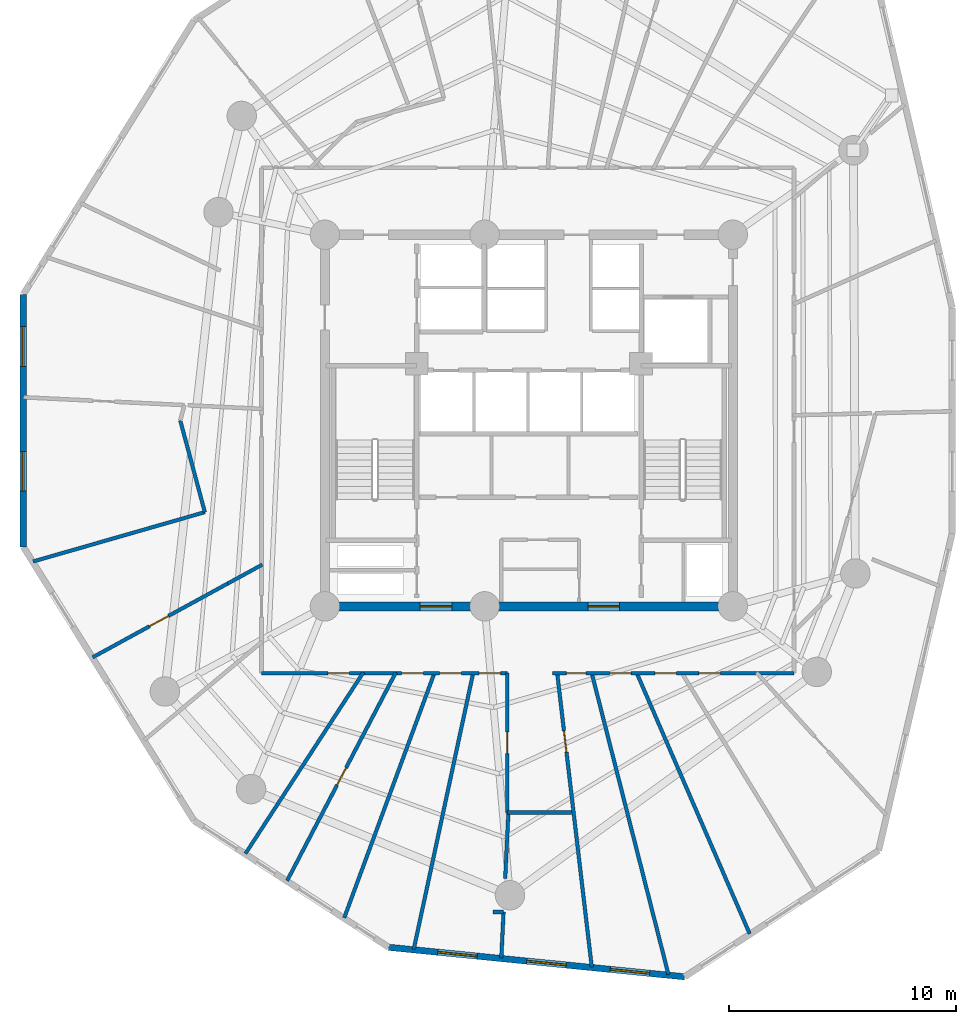
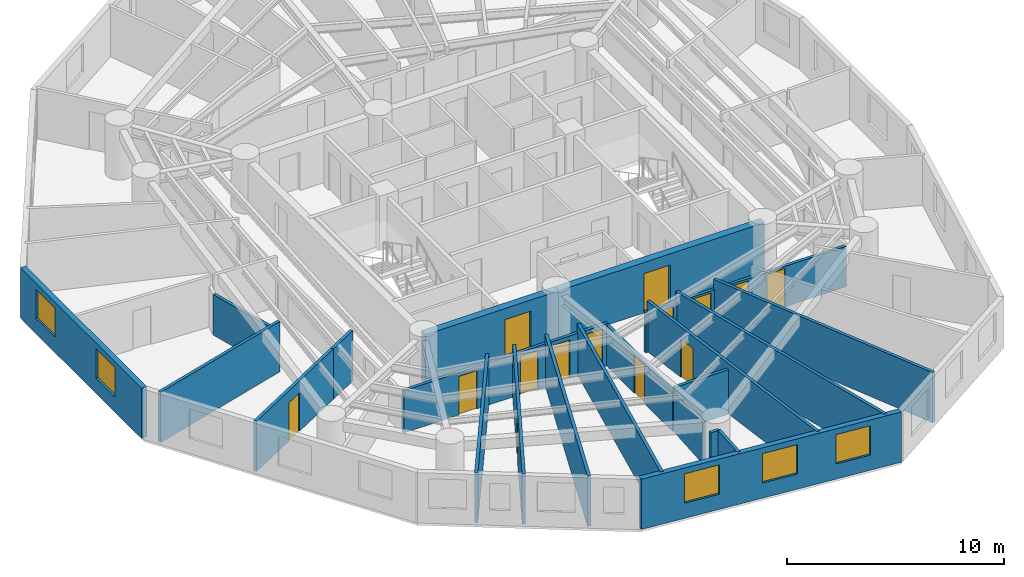
# One storey, part 3 of 8: 22 walls, 14 doors, 5 windows, 19 openings.
"""IFC4 building model written with IfcOpenShell, lengths in metres."""

from ifc_helpers import new_model, si_unit, direction, frame, frame_2d, origin, origin_with_axes, place, context, subcontext, project, spatial, rectangle, extrude, source, transform, mapped, material, layer, layer_set, type_object, element, fill, save


model = new_model("IFC4")

# Units and contexts
model_context = context("Model", 3, precision=1e-05, world=origin(), true_north=direction((0.0, 1.0)))
body_context = subcontext(model_context, "Body", "Model", "MODEL_VIEW")
ifc_project = project(units=[si_unit("LENGTHUNIT", "METRE"), si_unit("AREAUNIT", "SQUARE_METRE"), si_unit("VOLUMEUNIT", "CUBIC_METRE"), si_unit("PLANEANGLEUNIT", "RADIAN"), si_unit("MASSUNIT", "GRAM", prefix="KILO")], contexts=[model_context])

# Site, building, storey
site_placement = place(None, origin())
site = spatial("IfcSite", under=ifc_project, at=site_placement, CompositionType="ELEMENT")
building_placement = place(site_placement, origin())
building = spatial("IfcBuilding", under=site, at=building_placement, Name="Karkom Vertical University and Central Library", CompositionType="ELEMENT")
storey_placement = place(building_placement, frame((0.0, 0.0, 187.050048828125)))
storey = spatial("IfcBuildingStorey", under=building, at=storey_placement, Name="L54", CompositionType="ELEMENT", Elevation=187.050048828125)

# Wall, openings, windows
ifc_material_1 = material(Name="Brick-faced precast concrete C45/55", Category="masonry")
ifc_layer_1 = layer(ifc_material_1, 0.280029296875)
ifc_layer_set_1 = layer_set([ifc_layer_1], Name="Brick-faced precast concrete C45/55")
wall_type_1 = type_object("IfcWallType", Name="ENV-WL-BRK-280", PredefinedType="SOLIDWALL", material=ifc_layer_set_1)
wall_1_placement = place(storey_placement, frame((6.18408203125, 32.0712890625, 0.0), z_axis=(0.0, 0.0, 1.0), x_axis=(0.0, -1.0, 0.0)))
wall_1 = element("IfcWall", 1, at=wall_1_placement, inside=storey, type_object=wall_type_1, Name="Level 54 Brick-Faced Precast Facade Wall 01", PredefinedType="SOLIDWALL", context=body_context, shape_type="SweptSolid", body=[
    extrude(rectangle(XDim=11.142578125, YDim=0.280029296875, at=frame_2d((5.5712890625, 0.0))), origin(), (0.0, 0.0, 1.0), 2.824951171875),
])
opening_1_placement = place(wall_1_placement, frame((1.428955078125, 0.0, 0.85009765625)))
opening_1 = element("IfcOpeningElement", 2, at=opening_1_placement, cuts=wall_1, Name="Opening WN-08", PredefinedType="OPENING", context=body_context, shape_type="SweptSolid", body=[
    extrude(rectangle(XDim=1.75, YDim=1.64990234375, at=frame_2d((0.875, 0.824951171875))), frame((0.0, 0.14990234375, 0.0), z_axis=(0.0, -1.0, 0.0), x_axis=(1.0, 0.0, 0.0)), (0.0, 0.0, 1.0), 0.300048828125),
])
opening_2_placement = place(wall_1_placement, frame((6.9404296875, 0.0, 0.85009765625)))
opening_2 = element("IfcOpeningElement", 3, at=opening_2_placement, cuts=wall_1, Name="Opening WN-08", PredefinedType="OPENING", context=body_context, shape_type="SweptSolid", body=[
    extrude(rectangle(XDim=1.75, YDim=1.64990234375, at=frame_2d((0.875, 0.824951171875))), frame((0.0, 0.14990234375, 0.0), z_axis=(0.0, -1.0, 0.0), x_axis=(1.0, 0.0, 0.0)), (0.0, 0.0, 1.0), 0.300048828125),
])
ifc_material_2 = material(Name="Aluminium thermal-break frame with solar-control IGU", Category="aluminium")
window_type = type_object("IfcWindowType", Name="ENV-WIN-WN-08", PartitioningType="SINGLE_PANEL", PredefinedType="WINDOW", material=ifc_material_2)
shared_shape_1 = source(origin_with_axes(), body_context, "Body", "SweptSolid", [
    extrude(rectangle(XDim=1.75, YDim=1.64990234375, at=frame_2d((0.875, 0.824951171875))), frame((0.0, 0.030029296875, 0.0), z_axis=(0.0, -1.0, 0.0), x_axis=(1.0, 0.0, 0.0)), (0.0, 0.0, 1.0), 0.06005859375),
])
window_1_placement = place(opening_1_placement, origin())
window_1 = element("IfcWindow", 4, at=window_1_placement, inside=storey, type_object=window_type, Name="Level 54 Punched Window 1.1", OverallHeight=1.64990234375, OverallWidth=1.75, PartitioningType="SINGLE_PANEL", PredefinedType="WINDOW", context=body_context, shape_type="MappedRepresentation", body=[
    mapped(shared_shape_1, transform((0.0, 0.0, 0.0), scale=1.0)),
])
fill(opening_1, window_1)
window_2_placement = place(opening_2_placement, origin())
window_2 = element("IfcWindow", 5, at=window_2_placement, inside=storey, type_object=window_type, Name="Level 54 Punched Window 1.2", OverallHeight=1.64990234375, OverallWidth=1.75, PartitioningType="SINGLE_PANEL", PredefinedType="WINDOW", context=body_context, shape_type="MappedRepresentation", body=[
    mapped(shared_shape_1, transform((0.0, 0.0, 0.0), scale=1.0)),
])
fill(opening_2, window_2)

wall_2_placement = place(storey_placement, frame((22.306884765625, 3.25341796875, 0.0), z_axis=(0.0, 0.0, 1.0), x_axis=(0.995061275338, -0.099262572617, 0.0)))
wall_2 = element("IfcWall", 6, at=wall_2_placement, inside=storey, type_object=wall_type_1, Name="Level 54 Brick-Faced Precast Facade Wall 04", PredefinedType="SOLIDWALL", context=body_context, shape_type="SweptSolid", body=[
    extrude(rectangle(XDim=13.131591796875, YDim=0.280029296875, at=frame_2d((6.56591796875, 0.0))), origin(), (0.0, 0.0, 1.0), 2.824951171875),
])
opening_3_placement = place(wall_2_placement, frame((2.184326171875, 0.0, 0.85009765625)))
opening_3 = element("IfcOpeningElement", 7, at=opening_3_placement, cuts=wall_2, Name="Opening WN-08", PredefinedType="OPENING", context=body_context, shape_type="SweptSolid", body=[
    extrude(rectangle(XDim=1.75, YDim=1.64990234375, at=frame_2d((0.875, 0.824951171875))), frame((0.0, 0.14990234375, 0.0), z_axis=(0.0, -1.0, 0.0), x_axis=(1.0, 0.0, 0.0)), (0.0, 0.0, 1.0), 0.300048828125),
])
opening_4_placement = place(wall_2_placement, frame((6.12548828125, 0.0, 0.85009765625)))
opening_4 = element("IfcOpeningElement", 8, at=opening_4_placement, cuts=wall_2, Name="Opening WN-08", PredefinedType="OPENING", context=body_context, shape_type="SweptSolid", body=[
    extrude(rectangle(XDim=1.75, YDim=1.64990234375, at=frame_2d((0.875, 0.824951171875))), frame((0.0, 0.14990234375, 0.0), z_axis=(0.0, -1.0, 0.0), x_axis=(1.0, 0.0, 0.0)), (0.0, 0.0, 1.0), 0.300048828125),
])
opening_5_placement = place(wall_2_placement, frame((9.82666015625, 0.0, 0.85009765625)))
opening_5 = element("IfcOpeningElement", 9, at=opening_5_placement, cuts=wall_2, Name="Opening WN-08", PredefinedType="OPENING", context=body_context, shape_type="SweptSolid", body=[
    extrude(rectangle(XDim=1.75, YDim=1.64990234375, at=frame_2d((0.875, 0.824951171875))), frame((0.0, 0.14990234375, 0.0), z_axis=(0.0, -1.0, 0.0), x_axis=(1.0, 0.0, 0.0)), (0.0, 0.0, 1.0), 0.300048828125),
])
window_3_placement = place(opening_3_placement, origin())
window_3 = element("IfcWindow", 10, at=window_3_placement, inside=storey, type_object=window_type, Name="Level 54 Punched Window 4.1", OverallHeight=1.64990234375, OverallWidth=1.75, PartitioningType="SINGLE_PANEL", PredefinedType="WINDOW", context=body_context, shape_type="MappedRepresentation", body=[
    mapped(shared_shape_1, transform((0.0, 0.0, 0.0), scale=1.0)),
])
fill(opening_3, window_3)
window_4_placement = place(opening_4_placement, origin())
window_4 = element("IfcWindow", 11, at=window_4_placement, inside=storey, type_object=window_type, Name="Level 54 Punched Window 4.2", OverallHeight=1.64990234375, OverallWidth=1.75, PartitioningType="SINGLE_PANEL", PredefinedType="WINDOW", context=body_context, shape_type="MappedRepresentation", body=[
    mapped(shared_shape_1, transform((0.0, 0.0, 0.0), scale=1.0)),
])
fill(opening_4, window_4)
window_5_placement = place(opening_5_placement, origin())
window_5 = element("IfcWindow", 12, at=window_5_placement, inside=storey, type_object=window_type, Name="Level 54 Punched Window 4.3", OverallHeight=1.64990234375, OverallWidth=1.75, PartitioningType="SINGLE_PANEL", PredefinedType="WINDOW", context=body_context, shape_type="MappedRepresentation", body=[
    mapped(shared_shape_1, transform((0.0, 0.0, 0.0), scale=1.0)),
])
fill(opening_5, window_5)

# Wall
ifc_material_3 = material(Name="Insulated metal-stud drywall 160mm", Category="gypsum")
ifc_layer_2 = layer(ifc_material_3, 0.159912109375)
ifc_layer_set_2 = layer_set([ifc_layer_2], Name="Insulated metal-stud drywall 160mm")
wall_type_2 = type_object("IfcWallType", Name="INT-WL-COR-160", PredefinedType="PARTITIONING", material=ifc_layer_set_2)
wall_3_placement = place(storey_placement, frame((31.268310546875, 15.379150390625, 0.0), z_axis=(0.0, 0.0, 1.0), x_axis=(0.2466474547, -0.969105274513, 0.0)))
element("IfcWall", 13, at=wall_3_placement, inside=storey, type_object=wall_type_2, Name="Level 54 Interior Partition Wall L54-PW-017", PredefinedType="PARTITIONING", context=body_context, shape_type="SweptSolid", body=[
    extrude(rectangle(XDim=13.753662109375, YDim=0.159912109375, at=frame_2d((6.876953125, 0.0))), origin(), (0.0, 0.0, 1.0), 2.824951171875),
])

# Wall, opening, door
wall_4_placement = place(storey_placement, frame((29.747314453125, 15.3798828125, 0.0), z_axis=(0.0, 0.0, 1.0), x_axis=(0.11680660379, -0.993154679449, 0.0)))
wall_4 = element("IfcWall", 14, at=wall_4_placement, inside=storey, type_object=wall_type_2, Name="Level 54 Interior Partition Wall L54-PW-016", PredefinedType="PARTITIONING", context=body_context, shape_type="SweptSolid", body=[
    extrude(rectangle(XDim=13.084228515625, YDim=0.159912109375, at=frame_2d((6.5419921875, 0.0))), origin(), (0.0, 0.0, 1.0), 2.824951171875),
])
opening_6_placement = place(wall_4_placement, frame((2.58544921875, 0.0, 0.0)))
opening_6 = element("IfcOpeningElement", 15, at=opening_6_placement, cuts=wall_4, Name="Opening D-RM1", PredefinedType="OPENING", context=body_context, shape_type="SweptSolid", body=[
    extrude(rectangle(XDim=0.949951171875, YDim=2.14990234375, at=frame_2d((0.47509765625, 1.074951171875))), frame((0.0, 0.08984375, 0.0), z_axis=(0.0, -1.0, 0.0), x_axis=(1.0, 0.0, 0.0)), (0.0, 0.0, 1.0), 0.179931640625),
])
ifc_material_4 = material(Name="Solid-core oak veneer door", Category="wood")
door_type_1 = type_object("IfcDoorType", Name="INT-DR-RM1", OperationType="NOTDEFINED", PredefinedType="DOOR", material=ifc_material_4)
shared_shape_2 = source(origin_with_axes(), body_context, "Body", "SweptSolid", [
    extrude(rectangle(XDim=0.949951171875, YDim=2.14990234375, at=frame_2d((0.47509765625, 1.074951171875))), frame((0.0, 0.02490234375, 0.0), z_axis=(0.0, -1.0, 0.0), x_axis=(1.0, 0.0, 0.0)), (0.0, 0.0, 1.0), 0.050048828125),
])
door_1_placement = place(opening_6_placement, origin())
door_1 = element("IfcDoor", 16, at=door_1_placement, inside=storey, type_object=door_type_1, Name="Level 54 Room Entry Door 090", OperationType="SINGLE_SWING_RIGHT", OverallHeight=2.14990234375, OverallWidth=0.949951171875, PredefinedType="DOOR", context=body_context, shape_type="MappedRepresentation", body=[
    mapped(shared_shape_2, transform((0.0, 0.0, 0.0), scale=1.0)),
])
fill(opening_6, door_1)

# Walls
wall_5_placement = place(storey_placement, frame((33.252197265625, 15.37744140625, 0.0), z_axis=(0.0, 0.0, 1.0), x_axis=(0.397438924914, -0.917628629111, 0.0)))
element("IfcWall", 17, at=wall_5_placement, inside=storey, type_object=wall_type_2, Name="Level 54 Interior Partition Wall L54-PW-018", PredefinedType="PARTITIONING", context=body_context, shape_type="SweptSolid", body=[
    extrude(rectangle(XDim=12.56396484375, YDim=0.159912109375, at=frame_2d((6.281982421875, 0.0))), origin(), (0.0, 0.0, 1.0), 2.824951171875),
])
wall_6_placement = place(storey_placement, frame((26.046875, 15.37939453125, 0.0), z_axis=(0.0, 0.0, 1.0), x_axis=(-0.21026984846, -0.977643386327, 0.0)))
element("IfcWall", 18, at=wall_6_placement, inside=storey, type_object=wall_type_2, Name="Level 54 Interior Partition Wall L54-PW-012", PredefinedType="PARTITIONING", context=body_context, shape_type="SweptSolid", body=[
    extrude(rectangle(XDim=12.490966796875, YDim=0.159912109375, at=frame_2d((6.24560546875, 0.0))), origin(), (0.0, 0.0, 1.0), 2.824951171875),
])
wall_7_placement = place(storey_placement, frame((24.339599609375, 15.378173828125, 0.0), z_axis=(0.0, 0.0, 1.0), x_axis=(-0.345603339297, -0.938380696661, 0.0)))
element("IfcWall", 19, at=wall_7_placement, inside=storey, type_object=wall_type_2, Name="Level 54 Interior Partition Wall L54-PW-011", PredefinedType="PARTITIONING", context=body_context, shape_type="SweptSolid", body=[
    extrude(rectangle(XDim=11.53369140625, YDim=0.159912109375, at=frame_2d((5.766845703125, 0.0))), origin(), (0.0, 0.0, 1.0), 2.824951171875),
])

# Wall, openings, doors
wall_8_placement = place(storey_placement, frame((27.550048828125, 15.35009765625, 0.0), z_axis=(0.0, 0.0, 1.0), x_axis=(-1.0, 0.0, 0.0)))
wall_8 = element("IfcWall", 20, at=wall_8_placement, inside=storey, type_object=wall_type_2, Name="Level 54 Interior Partition Wall L54-CORW-CW-001", PredefinedType="PARTITIONING", context=body_context, shape_type="SweptSolid", body=[
    extrude(rectangle(XDim=10.85009765625, YDim=0.159912109375, at=frame_2d((5.425048828125, 0.0))), origin(), (0.0, 0.0, 1.0), 2.375),
])
opening_7_placement = place(wall_8_placement, frame((6.967529296875, 0.0, 0.0)))
opening_7 = element("IfcOpeningElement", 21, at=opening_7_placement, cuts=wall_8, Name="Opening D-RM1", PredefinedType="OPENING", context=body_context, shape_type="SweptSolid", body=[
    extrude(rectangle(XDim=0.949951171875, YDim=2.14990234375, at=frame_2d((0.47509765625, 1.074951171875))), frame((0.0, 0.08984375, 0.0), z_axis=(0.0, -1.0, 0.0), x_axis=(1.0, 0.0, 0.0)), (0.0, 0.0, 1.0), 0.179931640625),
])
opening_8_placement = place(wall_8_placement, frame((3.7099609375, 0.0, 0.0)))
opening_8 = element("IfcOpeningElement", 22, at=opening_8_placement, cuts=wall_8, Name="Opening D-RM1", PredefinedType="OPENING", context=body_context, shape_type="SweptSolid", body=[
    extrude(rectangle(XDim=0.949951171875, YDim=2.14990234375, at=frame_2d((0.47509765625, 1.074951171875))), frame((0.0, 0.08984375, 0.0), z_axis=(0.0, -1.0, 0.0), x_axis=(1.0, 0.0, 0.0)), (0.0, 0.0, 1.0), 0.179931640625),
])
opening_9_placement = place(wall_8_placement, frame((2.032470703125, 0.0, 0.0)))
opening_9 = element("IfcOpeningElement", 23, at=opening_9_placement, cuts=wall_8, Name="Opening D-RM1", PredefinedType="OPENING", context=body_context, shape_type="SweptSolid", body=[
    extrude(rectangle(XDim=0.949951171875, YDim=2.14990234375, at=frame_2d((0.47509765625, 1.074951171875))), frame((0.0, 0.08984375, 0.0), z_axis=(0.0, -1.0, 0.0), x_axis=(1.0, 0.0, 0.0)), (0.0, 0.0, 1.0), 0.179931640625),
])
opening_10_placement = place(wall_8_placement, frame((0.297607421875, 0.0, 0.0)))
opening_10 = element("IfcOpeningElement", 24, at=opening_10_placement, cuts=wall_8, Name="Opening D-RM1", PredefinedType="OPENING", context=body_context, shape_type="SweptSolid", body=[
    extrude(rectangle(XDim=0.949951171875, YDim=2.14990234375, at=frame_2d((0.47509765625, 1.074951171875))), frame((0.0, 0.08984375, 0.0), z_axis=(0.0, -1.0, 0.0), x_axis=(1.0, 0.0, 0.0)), (0.0, 0.0, 1.0), 0.179931640625),
])
door_2_placement = place(opening_7_placement, origin())
door_2 = element("IfcDoor", 25, at=door_2_placement, inside=storey, type_object=door_type_1, Name="Level 54 Room Entry Door 040", OperationType="SINGLE_SWING_LEFT", OverallHeight=2.14990234375, OverallWidth=0.949951171875, PredefinedType="DOOR", context=body_context, shape_type="MappedRepresentation", body=[
    mapped(shared_shape_2, transform((0.0, 0.0, 0.0), scale=1.0)),
])
fill(opening_7, door_2)
door_3_placement = place(opening_8_placement, origin())
door_3 = element("IfcDoor", 26, at=door_3_placement, inside=storey, type_object=door_type_1, Name="Level 54 Room Entry Door 050", OperationType="SINGLE_SWING_RIGHT", OverallHeight=2.14990234375, OverallWidth=0.949951171875, PredefinedType="DOOR", context=body_context, shape_type="MappedRepresentation", body=[
    mapped(shared_shape_2, transform((0.0, 0.0, 0.0), scale=1.0)),
])
fill(opening_8, door_3)
door_4_placement = place(opening_9_placement, origin())
door_4 = element("IfcDoor", 27, at=door_4_placement, inside=storey, type_object=door_type_1, Name="Level 54 Room Entry Door 060", OperationType="SINGLE_SWING_LEFT", OverallHeight=2.14990234375, OverallWidth=0.949951171875, PredefinedType="DOOR", context=body_context, shape_type="MappedRepresentation", body=[
    mapped(shared_shape_2, transform((0.0, 0.0, 0.0), scale=1.0)),
])
fill(opening_9, door_4)
door_5_placement = place(opening_10_placement, origin())
door_5 = element("IfcDoor", 28, at=door_5_placement, inside=storey, type_object=door_type_1, Name="Level 54 Room Entry Door 070", OperationType="SINGLE_SWING_RIGHT", OverallHeight=2.14990234375, OverallWidth=0.949951171875, PredefinedType="DOOR", context=body_context, shape_type="MappedRepresentation", body=[
    mapped(shared_shape_2, transform((0.0, 0.0, 0.0), scale=1.0)),
])
fill(opening_10, door_5)

wall_9_placement = place(storey_placement, frame((40.199951171875, 15.35009765625, 0.0), z_axis=(0.0, 0.0, 1.0), x_axis=(-1.0, 0.0, 0.0)))
wall_9 = element("IfcWall", 29, at=wall_9_placement, inside=storey, type_object=wall_type_2, Name="Level 54 Interior Partition Wall L54-CORW-CW-005", PredefinedType="PARTITIONING", context=body_context, shape_type="SweptSolid", body=[
    extrude(rectangle(XDim=10.64990234375, YDim=0.159912109375, at=frame_2d((5.324951171875, 0.0))), origin(), (0.0, 0.0, 1.0), 2.27490234375),
])
opening_11_placement = place(wall_9_placement, frame((9.181396484375, 0.0, 0.0)))
opening_11 = element("IfcOpeningElement", 30, at=opening_11_placement, cuts=wall_9, Name="Opening D-BATH", PredefinedType="OPENING", context=body_context, shape_type="SweptSolid", body=[
    extrude(rectangle(XDim=0.860107421875, YDim=2.10009765625, at=frame_2d((0.43017578125, 1.050048828125))), frame((0.0, 0.08984375, 0.0), z_axis=(0.0, -1.0, 0.0), x_axis=(1.0, 0.0, 0.0)), (0.0, 0.0, 1.0), 0.179931640625),
])
opening_12_placement = place(wall_9_placement, frame((7.1875, 0.0, 0.0)))
opening_12 = element("IfcOpeningElement", 31, at=opening_12_placement, cuts=wall_9, Name="Opening D-RM1", PredefinedType="OPENING", context=body_context, shape_type="SweptSolid", body=[
    extrude(rectangle(XDim=0.949951171875, YDim=2.14990234375, at=frame_2d((0.47509765625, 1.074951171875))), frame((0.0, 0.08984375, 0.0), z_axis=(0.0, -1.0, 0.0), x_axis=(1.0, 0.0, 0.0)), (0.0, 0.0, 1.0), 0.179931640625),
])
opening_13_placement = place(wall_9_placement, frame((5.18994140625, 0.0, 0.0)))
opening_13 = element("IfcOpeningElement", 32, at=opening_13_placement, cuts=wall_9, Name="Opening D-RM1", PredefinedType="OPENING", context=body_context, shape_type="SweptSolid", body=[
    extrude(rectangle(XDim=0.949951171875, YDim=2.14990234375, at=frame_2d((0.47509765625, 1.074951171875))), frame((0.0, 0.08984375, 0.0), z_axis=(0.0, -1.0, 0.0), x_axis=(1.0, 0.0, 0.0)), (0.0, 0.0, 1.0), 0.179931640625),
])
opening_14_placement = place(wall_9_placement, frame((3.25244140625, 0.0, 0.0)))
opening_14 = element("IfcOpeningElement", 33, at=opening_14_placement, cuts=wall_9, Name="Opening D-RM1", PredefinedType="OPENING", context=body_context, shape_type="SweptSolid", body=[
    extrude(rectangle(XDim=0.949951171875, YDim=2.14990234375, at=frame_2d((0.47509765625, 1.074951171875))), frame((0.0, 0.08984375, 0.0), z_axis=(0.0, -1.0, 0.0), x_axis=(1.0, 0.0, 0.0)), (0.0, 0.0, 1.0), 0.179931640625),
])
ifc_material_5 = material(Name="Moisture-resistant oak door", Category="wood")
door_type_2 = type_object("IfcDoorType", Name="INT-DR-BATH", OperationType="NOTDEFINED", PredefinedType="DOOR", material=ifc_material_5)
shared_shape_3 = source(origin_with_axes(), body_context, "Body", "SweptSolid", [
    extrude(rectangle(XDim=0.860107421875, YDim=2.10009765625, at=frame_2d((0.43017578125, 1.050048828125))), frame((0.0, 0.02490234375, 0.0), z_axis=(0.0, -1.0, 0.0), x_axis=(1.0, 0.0, 0.0)), (0.0, 0.0, 1.0), 0.050048828125),
])
door_6_placement = place(opening_11_placement, origin())
door_6 = element("IfcDoor", 34, at=door_6_placement, inside=storey, type_object=door_type_2, Name="Level 54 Room Entry Door 100", OperationType="SINGLE_SWING_LEFT", OverallHeight=2.10009765625, OverallWidth=0.860107421875, PredefinedType="DOOR", context=body_context, shape_type="MappedRepresentation", body=[
    mapped(shared_shape_3, transform((0.0, 0.0, 0.0), scale=1.0)),
])
fill(opening_11, door_6)
door_7_placement = place(opening_12_placement, origin())
door_7 = element("IfcDoor", 35, at=door_7_placement, inside=storey, type_object=door_type_1, Name="Level 54 Room Entry Door 110", OperationType="SINGLE_SWING_RIGHT", OverallHeight=2.14990234375, OverallWidth=0.949951171875, PredefinedType="DOOR", context=body_context, shape_type="MappedRepresentation", body=[
    mapped(shared_shape_2, transform((0.0, 0.0, 0.0), scale=1.0)),
])
fill(opening_12, door_7)
door_8_placement = place(opening_13_placement, origin())
door_8 = element("IfcDoor", 36, at=door_8_placement, inside=storey, type_object=door_type_1, Name="Level 54 Room Entry Door 120", OperationType="SINGLE_SWING_LEFT", OverallHeight=2.14990234375, OverallWidth=0.949951171875, PredefinedType="DOOR", context=body_context, shape_type="MappedRepresentation", body=[
    mapped(shared_shape_2, transform((0.0, 0.0, 0.0), scale=1.0)),
])
fill(opening_13, door_8)
door_9_placement = place(opening_14_placement, origin())
door_9 = element("IfcDoor", 37, at=door_9_placement, inside=storey, type_object=door_type_1, Name="Level 54 Room Entry Door 130", OperationType="SINGLE_SWING_RIGHT", OverallHeight=2.14990234375, OverallWidth=0.949951171875, PredefinedType="DOOR", context=body_context, shape_type="MappedRepresentation", body=[
    mapped(shared_shape_2, transform((0.0, 0.0, 0.0), scale=1.0)),
])
fill(opening_14, door_9)

# Wall, opening, door
wall_10_placement = place(storey_placement, frame((22.63330078125, 15.389892578125, 0.0), z_axis=(0.0, 0.0, 1.0), x_axis=(-0.462733274977, -0.886497555682, 0.0)))
wall_10 = element("IfcWall", 38, at=wall_10_placement, inside=storey, type_object=wall_type_2, Name="Level 54 Interior Partition Wall L54-PW-010", PredefinedType="PARTITIONING", context=body_context, shape_type="SweptSolid", body=[
    extrude(rectangle(XDim=10.374755859375, YDim=0.159912109375, at=frame_2d((5.1875, 0.0))), origin(), (0.0, 0.0, 1.0), 2.824951171875),
])
opening_15_placement = place(wall_10_placement, frame((4.75732421875, 0.0, 0.0)))
opening_15 = element("IfcOpeningElement", 39, at=opening_15_placement, cuts=wall_10, Name="Opening FD-BTH2", PredefinedType="OPENING", context=body_context, shape_type="SweptSolid", body=[
    extrude(rectangle(XDim=0.860107421875, YDim=2.0400390625, at=frame_2d((0.43017578125, 1.02001953125))), frame((0.0, 0.08984375, 0.0), z_axis=(0.0, -1.0, 0.0), x_axis=(1.0, 0.0, 0.0)), (0.0, 0.0, 1.0), 0.179931640625),
])
ifc_material_6 = material(Name="Fire-rated moisture-resistant oak door", Category="wood")
door_type_3 = type_object("IfcDoorType", Name="INT-DR-FBTH2", OperationType="NOTDEFINED", PredefinedType="DOOR", material=ifc_material_6)
shared_shape_4 = source(origin_with_axes(), body_context, "Body", "SweptSolid", [
    extrude(rectangle(XDim=0.860107421875, YDim=2.0400390625, at=frame_2d((0.43017578125, 1.02001953125))), frame((0.0, 0.02490234375, 0.0), z_axis=(0.0, -1.0, 0.0), x_axis=(1.0, 0.0, 0.0)), (0.0, 0.0, 1.0), 0.050048828125),
])
door_10_placement = place(opening_15_placement, origin())
door_10 = element("IfcDoor", 40, at=door_10_placement, inside=storey, type_object=door_type_3, Name="Level 54 Faculty Support and Campus Staff Room Entry Door", OperationType="SINGLE_SWING_RIGHT", OverallHeight=2.0400390625, OverallWidth=0.860107421875, PredefinedType="DOOR", context=body_context, shape_type="MappedRepresentation", body=[
    mapped(shared_shape_4, transform((0.0, 0.0, 0.0), scale=1.0)),
])
fill(opening_15, door_10)

# Walls
wall_11_placement = place(storey_placement, frame((21.198974609375, 15.3876953125, 0.0), z_axis=(0.0, 0.0, 1.0), x_axis=(-0.545344356307, -0.838212105045, 0.0)))
element("IfcWall", 41, at=wall_11_placement, inside=storey, type_object=wall_type_2, Name="Level 54 Interior Partition Wall L54-PW-009", PredefinedType="PARTITIONING", context=body_context, shape_type="SweptSolid", body=[
    extrude(rectangle(XDim=9.544189453125, YDim=0.159912109375, at=frame_2d((4.77197265625, 0.0))), origin(), (0.0, 0.0, 1.0), 2.824951171875),
])
wall_12_placement = place(storey_placement, frame((14.20068359375, 22.4560546875, 0.0), z_axis=(0.0, 0.0, 1.0), x_axis=(-0.961149214353, -0.276029324073, 0.0)))
element("IfcWall", 42, at=wall_12_placement, inside=storey, type_object=wall_type_2, Name="Level 54 Interior Partition Wall L54-PW-003", PredefinedType="PARTITIONING", context=body_context, shape_type="SweptSolid", body=[
    extrude(rectangle(XDim=7.885986328125, YDim=0.159912109375, at=frame_2d((3.94287109375, 0.0))), origin(), (0.0, 0.0, 1.0), 2.824951171875),
])

# Wall, opening, door
wall_13_placement = place(storey_placement, frame((15.22802734375, 19.315673828125, 0.0), z_axis=(0.0, 0.0, 1.0), x_axis=(-0.877523935838, -0.479532837282, 0.0)))
wall_13 = element("IfcWall", 43, at=wall_13_placement, inside=storey, type_object=wall_type_2, Name="Level 54 Interior Partition Wall L54-PW-007", PredefinedType="PARTITIONING", context=body_context, shape_type="SweptSolid", body=[
    extrude(rectangle(XDim=6.80859375, YDim=0.159912109375, at=frame_2d((3.404296875, 0.0))), origin(), (0.0, 0.0, 1.0), 2.824951171875),
])
opening_16_placement = place(wall_13_placement, frame((3.004150390625, 0.0, 0.0)))
opening_16 = element("IfcOpeningElement", 44, at=opening_16_placement, cuts=wall_13, Name="Opening D-RM1", PredefinedType="OPENING", context=body_context, shape_type="SweptSolid", body=[
    extrude(rectangle(XDim=0.949951171875, YDim=2.14990234375, at=frame_2d((0.47509765625, 1.074951171875))), frame((0.0, 0.08984375, 0.0), z_axis=(0.0, -1.0, 0.0), x_axis=(1.0, 0.0, 0.0)), (0.0, 0.0, 1.0), 0.179931640625),
])
door_11_placement = place(opening_16_placement, origin())
door_11 = element("IfcDoor", 45, at=door_11_placement, inside=storey, type_object=door_type_1, Name="Level 54 Room Entry Door 020", OperationType="SINGLE_SWING_LEFT", OverallHeight=2.14990234375, OverallWidth=0.949951171875, PredefinedType="DOOR", context=body_context, shape_type="MappedRepresentation", body=[
    mapped(shared_shape_2, transform((0.0, 0.0, 0.0), scale=1.0)),
])
fill(opening_16, door_11)

wall_14_placement = place(storey_placement, frame((27.550048828125, 9.199951171875, 0.0), z_axis=(0.0, 0.0, 1.0), x_axis=(0.0, 1.0, 0.0)))
wall_14 = element("IfcWall", 46, at=wall_14_placement, inside=storey, type_object=wall_type_2, Name="Level 54 Interior Partition Wall L54-CORW-CW-008", PredefinedType="PARTITIONING", context=body_context, shape_type="SweptSolid", body=[
    extrude(rectangle(XDim=6.150146484375, YDim=0.159912109375, at=frame_2d((3.0751953125, 0.0))), origin(), (0.0, 0.0, 1.0), 2.27490234375),
])
opening_17_placement = place(wall_14_placement, frame((2.60009765625, 0.0, 0.0)))
opening_17 = element("IfcOpeningElement", 47, at=opening_17_placement, cuts=wall_14, Name="Opening D-RM1", PredefinedType="OPENING", context=body_context, shape_type="SweptSolid", body=[
    extrude(rectangle(XDim=0.949951171875, YDim=2.14990234375, at=frame_2d((0.47509765625, 1.074951171875))), frame((0.0, 0.08984375, 0.0), z_axis=(0.0, -1.0, 0.0), x_axis=(1.0, 0.0, 0.0)), (0.0, 0.0, 1.0), 0.179931640625),
])
door_12_placement = place(opening_17_placement, origin())
door_12 = element("IfcDoor", 48, at=door_12_placement, inside=storey, type_object=door_type_1, Name="Level 54 Room Entry Door 080", OperationType="SINGLE_SWING_LEFT", OverallHeight=2.14990234375, OverallWidth=0.949951171875, PredefinedType="DOOR", context=body_context, shape_type="MappedRepresentation", body=[
    mapped(shared_shape_2, transform((0.0, 0.0, 0.0), scale=1.0)),
])
fill(opening_17, door_12)

# Walls
wall_15_placement = place(storey_placement, frame((13.1171875, 26.5, 0.0), z_axis=(0.0, 0.0, 1.0), x_axis=(0.258802155336, -0.96593035173, 0.0)))
element("IfcWall", 49, at=wall_15_placement, inside=storey, type_object=wall_type_2, Name="Level 54 Interior Partition Wall L54-PW-002", PredefinedType="PARTITIONING", context=body_context, shape_type="SweptSolid", body=[
    extrude(rectangle(XDim=4.1865234375, YDim=0.159912109375, at=frame_2d((2.09326171875, 0.0))), origin(), (0.0, 0.0, 1.0), 2.27490234375),
])
wall_16_placement = place(storey_placement, frame((27.598876953125, 9.22998046875, 0.0), z_axis=(0.0, 0.0, 1.0), x_axis=(-0.048672114697, -0.998814810288, 0.0)))
element("IfcWall", 50, at=wall_16_placement, inside=storey, type_object=wall_type_2, Name="Level 54 Interior Partition Wall L54-PW-013", PredefinedType="PARTITIONING", context=body_context, shape_type="SweptSolid", body=[
    extrude(rectangle(XDim=2.9443359375, YDim=0.159912109375, at=frame_2d((1.47216796875, 0.0))), origin(), (0.0, 0.0, 1.0), 2.27490234375),
])
wall_17_placement = place(storey_placement, frame((30.38671875, 9.199951171875, 0.0), z_axis=(0.0, 0.0, 1.0), x_axis=(-1.0, 0.0, 0.0)))
element("IfcWall", 51, at=wall_17_placement, inside=storey, type_object=wall_type_2, Name="Level 54 Interior Partition Wall L54-CORW-CW-007", PredefinedType="PARTITIONING", context=body_context, shape_type="SweptSolid", body=[
    extrude(rectangle(XDim=2.836669921875, YDim=0.159912109375, at=frame_2d((1.41845703125, 0.0))), origin(), (0.0, 0.0, 1.0), 2.494873046875),
])
wall_18_placement = place(storey_placement, frame((27.383544921875, 4.80908203125, 0.0), z_axis=(0.0, 0.0, 1.0), x_axis=(-0.048719626645, -0.998812493904, 0.0)))
element("IfcWall", 52, at=wall_18_placement, inside=storey, type_object=wall_type_2, Name="Level 54 Interior Partition Wall L54-PW-015", PredefinedType="PARTITIONING", context=body_context, shape_type="SweptSolid", body=[
    extrude(rectangle(XDim=2.029541015625, YDim=0.159912109375, at=frame_2d((1.0146484375, 0.0))), origin(), (0.0, 0.0, 1.0), 2.824951171875),
])
wall_19_placement = place(storey_placement, frame((16.739501953125, 20.1416015625, 0.0), z_axis=(0.0, 0.0, 1.0), x_axis=(-0.877552641587, -0.479480303291, 0.0)))
element("IfcWall", 53, at=wall_19_placement, inside=storey, type_object=wall_type_2, Name="Level 54 Interior Partition Wall L54-PW-005", PredefinedType="PARTITIONING", context=body_context, shape_type="SweptSolid", body=[
    extrude(rectangle(XDim=1.742431640625, YDim=0.159912109375, at=frame_2d((0.87109375, 0.0))), origin(), (0.0, 0.0, 1.0), 2.824951171875),
])
wall_20_placement = place(storey_placement, frame((26.926025390625, 4.80908203125, 0.0), z_axis=(0.0, 0.0, 1.0), x_axis=(1.0, 0.0, 0.0)))
element("IfcWall", 54, at=wall_20_placement, inside=storey, type_object=wall_type_2, Name="Level 54 Interior Partition Wall L54-PW-014", PredefinedType="PARTITIONING", context=body_context, shape_type="SweptSolid", body=[
    extrude(rectangle(XDim=0.45751953125, YDim=0.159912109375, at=frame_2d((0.228759765625, 0.0))), origin(), (0.0, 0.0, 1.0), 2.824951171875),
])

# Wall, opening, door
ifc_material_7 = material(Name="Concrete C50/60", Category="concrete")
ifc_layer_3 = layer(ifc_material_7, 0.39990234375)
ifc_layer_set_3 = layer_set([ifc_layer_3], Name="Concrete C50/60")
wall_type_3 = type_object("IfcWallType", Name="STR-WL-CW-400", PredefinedType="SHEAR", material=ifc_layer_set_3)
wall_21_placement = place(storey_placement, frame((19.5, 18.300048828125, 0.0), z_axis=(0.0, 0.0, 1.0), x_axis=(1.0, 0.0, 0.0)))
wall_21 = element("IfcWall", 55, at=wall_21_placement, inside=storey, type_object=wall_type_3, Name="Level 54 Central Core Shear Wall SW1", PredefinedType="SHEAR", context=body_context, shape_type="SweptSolid", body=[
    extrude(rectangle(XDim=7.050048828125, YDim=0.39990234375, at=frame_2d((3.52490234375, 0.0))), origin(), (0.0, 0.0, 1.0), 2.824951171875),
])
opening_18_placement = place(wall_21_placement, frame((4.199951171875, 0.0, 0.0)))
opening_18 = element("IfcOpeningElement", 56, at=opening_18_placement, cuts=wall_21, Name="Opening FD-CLB", PredefinedType="OPENING", context=body_context, shape_type="SweptSolid", body=[
    extrude(rectangle(XDim=1.39990234375, YDim=2.199951171875, at=frame_2d((0.699951171875, 1.10009765625))), frame((0.0, 0.2099609375, 0.0), z_axis=(0.0, -1.0, 0.0), x_axis=(1.0, 0.0, 0.0)), (0.0, 0.0, 1.0), 0.419921875),
])
ifc_material_8 = material(Name="Painted steel fire door", Category="steel")
door_type_4 = type_object("IfcDoorType", Name="INT-DR-CLB", OperationType="DOUBLE_DOOR_SINGLE_SWING", PredefinedType="DOOR", material=ifc_material_8)
shared_shape_5 = source(origin_with_axes(), body_context, "Body", "SweptSolid", [
    extrude(rectangle(XDim=1.39990234375, YDim=2.199951171875, at=frame_2d((0.699951171875, 1.10009765625))), frame((0.0, 0.02490234375, 0.0), z_axis=(0.0, -1.0, 0.0), x_axis=(1.0, 0.0, 0.0)), (0.0, 0.0, 1.0), 0.050048828125),
])
door_13_placement = place(opening_18_placement, origin())
door_13 = element("IfcDoor", 57, at=door_13_placement, inside=storey, type_object=door_type_4, Name="Level 54 South Core Lobby West Exit Door", OperationType="DOUBLE_DOOR_SINGLE_SWING", OverallHeight=2.199951171875, OverallWidth=1.39990234375, PredefinedType="DOOR", context=body_context, shape_type="MappedRepresentation", body=[
    mapped(shared_shape_5, transform((0.0, 0.0, 0.0), scale=1.0)),
])
fill(opening_18, door_13)

wall_22_placement = place(storey_placement, frame((26.550048828125, 18.300048828125, 0.0), z_axis=(0.0, 0.0, 1.0), x_axis=(1.0, 0.0, 0.0)))
wall_22 = element("IfcWall", 58, at=wall_22_placement, inside=storey, type_object=wall_type_3, Name="Level 54 Central Core Shear Wall SW2", PredefinedType="SHEAR", context=body_context, shape_type="SweptSolid", body=[
    extrude(rectangle(XDim=10.949951171875, YDim=0.39990234375, at=frame_2d((5.47509765625, 0.0))), origin(), (0.0, 0.0, 1.0), 2.824951171875),
])
opening_19_placement = place(wall_22_placement, frame((4.550048828125, 0.0, 0.0)))
opening_19 = element("IfcOpeningElement", 59, at=opening_19_placement, cuts=wall_22, Name="Opening FD-CLB", PredefinedType="OPENING", context=body_context, shape_type="SweptSolid", body=[
    extrude(rectangle(XDim=1.39990234375, YDim=2.199951171875, at=frame_2d((0.699951171875, 1.10009765625))), frame((0.0, 0.2099609375, 0.0), z_axis=(0.0, -1.0, 0.0), x_axis=(1.0, 0.0, 0.0)), (0.0, 0.0, 1.0), 0.419921875),
])
door_14_placement = place(opening_19_placement, origin())
door_14 = element("IfcDoor", 60, at=door_14_placement, inside=storey, type_object=door_type_4, Name="Level 54 South Core Lobby East Exit Door", OperationType="DOUBLE_DOOR_SINGLE_SWING", OverallHeight=2.199951171875, OverallWidth=1.39990234375, PredefinedType="DOOR", context=body_context, shape_type="MappedRepresentation", body=[
    mapped(shared_shape_5, transform((0.0, 0.0, 0.0), scale=1.0)),
])
fill(opening_19, door_14)

save(model, "model.ifc")
